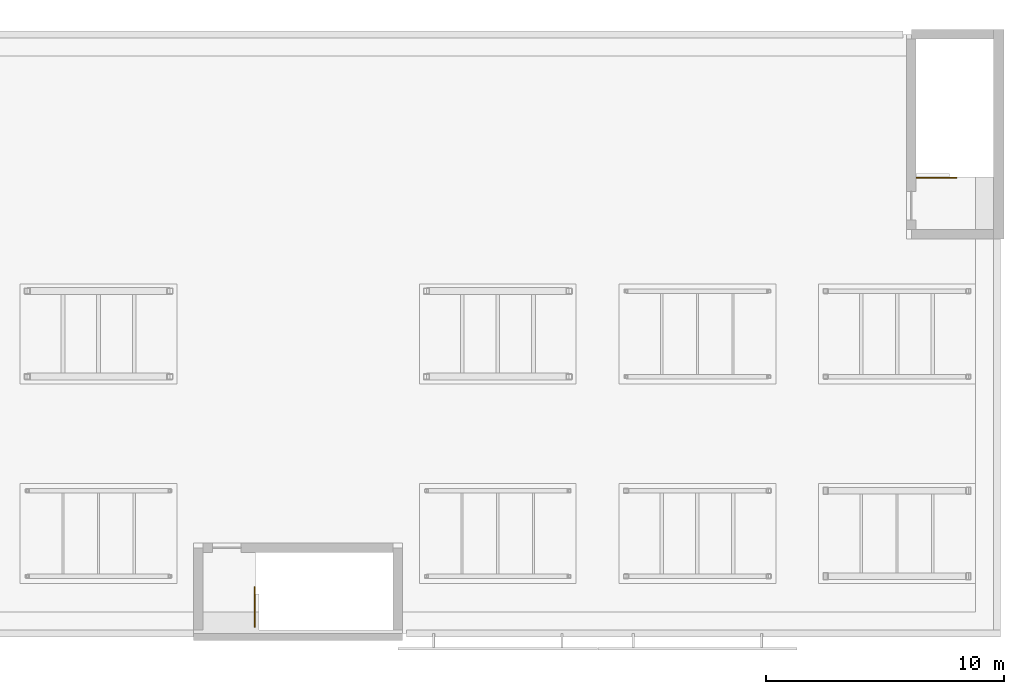
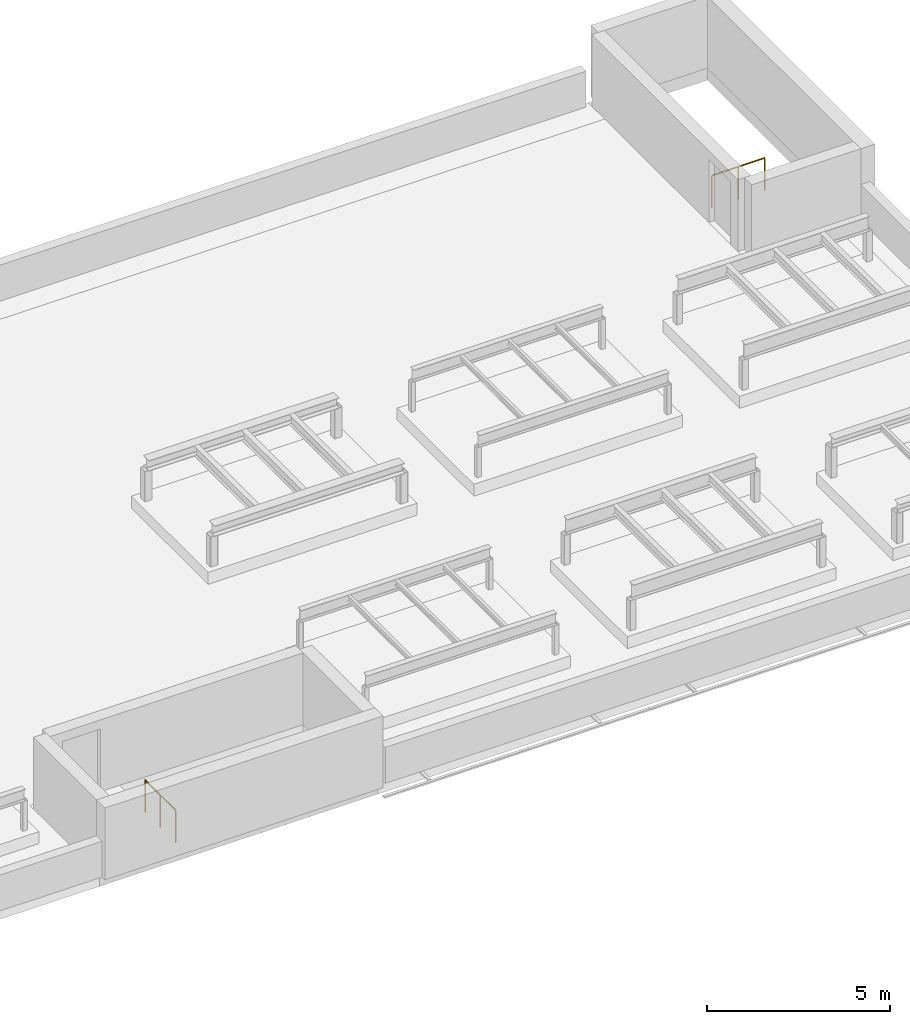
# One storey, part 18 of 18: 2 railings.
"""IFC4 building model written with IfcOpenShell, lengths in metres."""

from ifc_helpers import new_model, si_unit, direction, frame, origin, origin_2d, place, context, subcontext, project, spatial, circle, extrude, material, type_object, element, save


model = new_model("IFC4")

# Units and contexts
model_context = context("Model", 3, precision=1e-05, world=origin(), true_north=direction((0.0, 1.0)))
body_context = subcontext(model_context, "Body", "Model", "MODEL_VIEW")
ifc_project = project(units=[si_unit("LENGTHUNIT", "METRE"), si_unit("AREAUNIT", "SQUARE_METRE"), si_unit("VOLUMEUNIT", "CUBIC_METRE"), si_unit("PLANEANGLEUNIT", "RADIAN"), si_unit("MASSUNIT", "GRAM", prefix="KILO")], contexts=[model_context])

# Site, building, storey
site_placement = place(None, origin())
site = spatial("IfcSite", under=ifc_project, at=site_placement, CompositionType="ELEMENT")
building_placement = place(site_placement, origin())
building = spatial("IfcBuilding", under=site, at=building_placement, Name="Yavir Park General Hospital", CompositionType="ELEMENT")
storey_placement = place(building_placement, frame((0.0, 0.0, 29.699951171875)))
storey = spatial("IfcBuildingStorey", under=building, at=storey_placement, Name="RF", CompositionType="ELEMENT", Elevation=29.699951171875)

# Railings
ifc_material = material(Name="Steel balustrade with infill rods", Category="steel")
railing_type = type_object("IfcRailingType", Name="Stair guard, steel balustrade 1100 mm", PredefinedType="GUARDRAIL", material=ifc_material)
railing_1_placement = place(storey_placement, frame((136.77001953125, 0.280029296875, 0.0)))
element("IfcRailing", 1, at=railing_1_placement, inside=storey, type_object=railing_type, Name="Stair well guard SU5 RF", PredefinedType="GUARDRAIL", context=body_context, shape_type="SweptSolid", body=[
    extrude(circle(Radius=0.02392578125, at=origin_2d()), frame((0.0, 0.0, 1.076171875), z_axis=(0.0, 1.0, 0.0), x_axis=(-1.0, 0.0, 0.0)), (0.0, 0.0, 1.0), 1.669921875),
    extrude(circle(Radius=0.02099609375, at=origin_2d()), origin(), (0.0, 0.0, 1.0), 1.052001953125),
    extrude(circle(Radius=0.02099609375, at=origin_2d()), frame((0.0, 0.8349609375, 0.0)), (0.0, 0.0, 1.0), 1.052001953125),
    extrude(circle(Radius=0.02099609375, at=origin_2d()), frame((0.0, 1.669921875, 0.0)), (0.0, 0.0, 1.0), 1.052001953125),
])
railing_2_placement = place(storey_placement, frame((164.6298828125, 19.169921875, 0.0)))
element("IfcRailing", 2, at=railing_2_placement, inside=storey, type_object=railing_type, Name="Stair well guard SU6 RF", PredefinedType="GUARDRAIL", context=body_context, shape_type="SweptSolid", body=[
    extrude(circle(Radius=0.02392578125, at=origin_2d()), frame((0.0, 0.0, 1.076171875), z_axis=(1.0, 0.0, 0.0), x_axis=(0.0, 1.0, 0.0)), (0.0, 0.0, 1.0), 1.670166015625),
    extrude(circle(Radius=0.02099609375, at=origin_2d()), origin(), (0.0, 0.0, 1.0), 1.052001953125),
    extrude(circle(Radius=0.02099609375, at=origin_2d()), frame((0.8349609375, 0.0, 0.0)), (0.0, 0.0, 1.0), 1.052001953125),
    extrude(circle(Radius=0.02099609375, at=origin_2d()), frame((1.670166015625, 0.0, 0.0)), (0.0, 0.0, 1.0), 1.052001953125),
])

save(model, "model.ifc")
